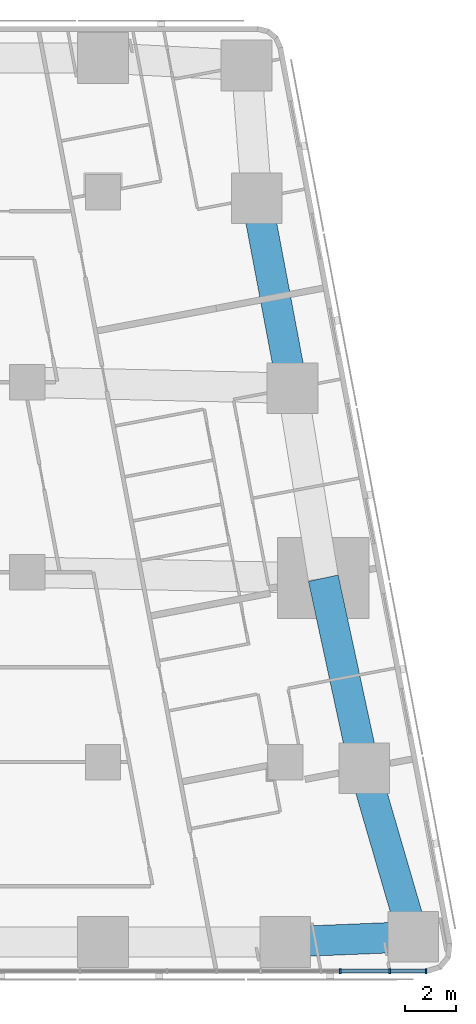
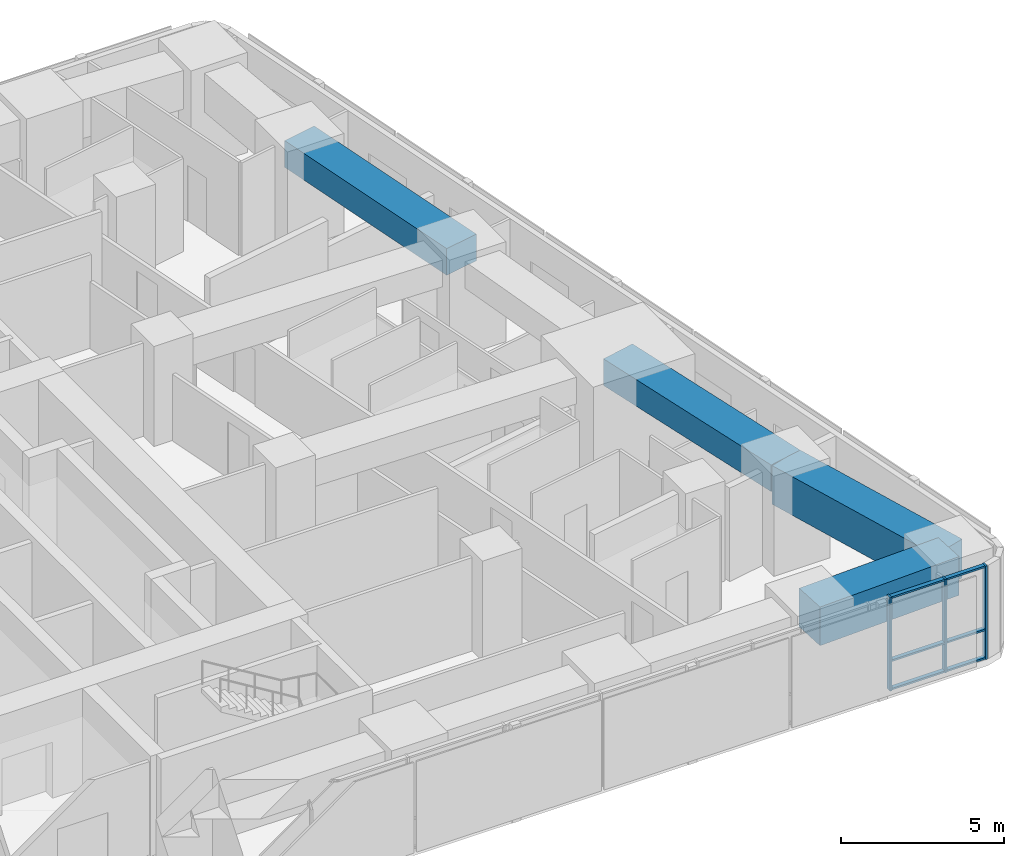
# One storey, part 3 of 11: 9 members, 4 beams, 1 element without a shape of its own.
"""IFC4 building model written with IfcOpenShell, lengths in metres."""

from ifc_helpers import new_model, si_unit, direction, frame, origin, origin_2d, place, context, subcontext, project, spatial, rectangle, extrude, material, material_profile, profile_set, type_object, element, aggregate, save


model = new_model("IFC4")

# Units and contexts
model_context = context("Model", 3, precision=1e-05, world=origin(), true_north=direction((0.0, 1.0)))
body_context = subcontext(model_context, "Body", "Model", "MODEL_VIEW")
ifc_project = project(units=[si_unit("LENGTHUNIT", "METRE"), si_unit("AREAUNIT", "SQUARE_METRE"), si_unit("VOLUMEUNIT", "CUBIC_METRE"), si_unit("PLANEANGLEUNIT", "RADIAN"), si_unit("MASSUNIT", "GRAM", prefix="KILO")], contexts=[model_context])

# Site, building, storey
site_placement = place(None, origin())
site = spatial("IfcSite", under=ifc_project, at=site_placement, CompositionType="ELEMENT")
building_placement = place(site_placement, origin())
building = spatial("IfcBuilding", under=site, at=building_placement, Name="Sheger Commons Tower", CompositionType="ELEMENT")
storey_placement = place(building_placement, frame((0.0, 0.0, 259.10009765625)))
storey = spatial("IfcBuildingStorey", under=building, at=storey_placement, Name="L66", CompositionType="ELEMENT", Elevation=259.10009765625)

# Curtain wall, members
ifc_material_1 = material(Name="Black aluminium curtain wall, dark tinted glazing", Category="aluminium")
curtain_wall_type = type_object("IfcCurtainWallType", Name="CURTAIN WALL CW5 SOUTH GALLERY", PredefinedType="USERDEFINED", material=ifc_material_1)
curtain_wall_placement = place(storey_placement, origin())
curtain_wall = element("IfcCurtainWall", 1, at=curtain_wall_placement, inside=storey, type_object=curtain_wall_type, Name="Curtain Wall Cw5 South Gallery S1 L66", ObjectType="UNITISED CURTAIN WALL", PredefinedType="USERDEFINED")
ifc_material_2 = material(Name="Black anodised aluminium", Category="aluminium")
ifc_material_profile_1 = material_profile(ifc_material_2, rectangle(XDim=0.199951171875, YDim=0.06494140625, at=origin_2d()), Name="AL 65x200")
ifc_profile_set_1 = profile_set([ifc_material_profile_1], Name="Black anodised aluminium")
member_type_1 = type_object("IfcMemberType", Name="MULLION AL 65x200", PredefinedType="MULLION", material=ifc_profile_set_1)
member_1_placement = place(storey_placement, frame((45.364990234375, 6.75, 0.0), z_axis=(0.0, 0.0, 1.0), x_axis=(0.0, 1.0, 0.0)))
member_1 = element("IfcMember", 2, at=member_1_placement, type_object=member_type_1, Name="CW5 mullion 12", PredefinedType="MULLION", context=body_context, shape_type="SweptSolid", body=[
    extrude(rectangle(XDim=0.199951171875, YDim=0.06494140625, at=origin_2d()), origin(), (0.0, 0.0, 1.0), 3.5),
])
member_2_placement = place(storey_placement, frame((47.319091796875, 6.75, 0.0), z_axis=(0.0, 0.0, 1.0), x_axis=(0.0, 1.0, 0.0)))
member_2 = element("IfcMember", 3, at=member_2_placement, type_object=member_type_1, Name="CW5 mullion 13", PredefinedType="MULLION", context=body_context, shape_type="SweptSolid", body=[
    extrude(rectangle(XDim=0.199951171875, YDim=0.06494140625, at=origin_2d()), origin(), (0.0, 0.0, 1.0), 3.5),
])
member_3_placement = place(storey_placement, frame((48.75439453125, 6.75, 0.0), z_axis=(0.0, 0.0, 1.0), x_axis=(0.0, 1.0, 0.0)))
member_3 = element("IfcMember", 4, at=member_3_placement, type_object=member_type_1, Name="CW5 mullion 14", PredefinedType="MULLION", context=body_context, shape_type="SweptSolid", body=[
    extrude(rectangle(XDim=0.199951171875, YDim=0.06494140625, at=origin_2d()), origin(), (0.0, 0.0, 1.0), 3.5),
])

# Beams
ifc_material_3 = material(Name="Concrete C50/60", Category="concrete")
ifc_material_profile_2 = material_profile(ifc_material_3, rectangle(XDim=1.199951171875, YDim=1.0, at=origin_2d()), Name="RC 1200x1000")
ifc_profile_set_2 = profile_set([ifc_material_profile_2], Name="Concrete C50/60")
beam_type_1 = type_object("IfcBeamType", Name="SPANDREL RC 1200x1000", PredefinedType="SPANDREL", material=ifc_profile_set_2)
beam_1_placement = place(storey_placement, frame((46.31396484375, 14.762939453125, 3.0), z_axis=(-0.210750229323, 0.977539943348, 0.0), x_axis=(-0.977539943348, -0.210750229323, 0.0)))
element("IfcBeam", 5, at=beam_1_placement, inside=storey, type_object=beam_type_1, Name="Beam E/C-E/D under L67", PredefinedType="SPANDREL", context=body_context, shape_type="SweptSolid", body=[
    extrude(rectangle(XDim=1.199951171875, YDim=1.0, at=origin_2d()), origin(), (0.0, 0.0, 1.0), 7.67236328125),
])
beam_2_placement = place(storey_placement, frame((43.47998046875, 29.762939453125, 3.0), z_axis=(-0.18552441405, 0.982639655108, 0.0), x_axis=(-0.982639655108, -0.18552441405, 0.0)))
element("IfcBeam", 6, at=beam_2_placement, inside=storey, type_object=beam_type_1, Name="Beam E/E-E/F under L67", PredefinedType="SPANDREL", context=body_context, shape_type="SweptSolid", body=[
    extrude(rectangle(XDim=1.199951171875, YDim=1.0, at=origin_2d()), origin(), (0.0, 0.0, 1.0), 7.632568359375),
])
ifc_material_4 = material(Name="Concrete C50/60", Category="concrete")
ifc_material_profile_3 = material_profile(ifc_material_4, rectangle(XDim=1.199951171875, YDim=1.449951171875, at=origin_2d()), Name="RC 1200x1450")
ifc_profile_set_3 = profile_set([ifc_material_profile_3], Name="Concrete C50/60")
beam_type_2 = type_object("IfcBeamType", Name="SPANDREL RC 1200x1450", PredefinedType="SPANDREL", material=ifc_profile_set_3)
beam_3_placement = place(storey_placement, frame((43.199951171875, 7.89990234375, 2.77490234375), z_axis=(0.999161374218, 0.040945674641, 0.0), x_axis=(-0.040945674641, 0.999161374218, 0.0)))
element("IfcBeam", 7, at=beam_3_placement, inside=storey, type_object=beam_type_2, Name="Beam 7/B-E/B under L67", PredefinedType="SPANDREL", context=body_context, shape_type="SweptSolid", body=[
    extrude(rectangle(XDim=1.199951171875, YDim=1.449951171875, at=origin_2d()), origin(), (0.0, 0.0, 1.0), 5.05615234375),
])
beam_4_placement = place(storey_placement, frame((48.251953125, 8.10693359375, 2.77490234375), z_axis=(-0.279555048455, 0.960129665662, 0.0), x_axis=(-0.960129665662, -0.279555048455, 0.0)))
element("IfcBeam", 8, at=beam_4_placement, inside=storey, type_object=beam_type_2, Name="Beam E/B-E/C under L67", PredefinedType="SPANDREL", context=body_context, shape_type="SweptSolid", body=[
    extrude(rectangle(XDim=1.199951171875, YDim=1.449951171875, at=origin_2d()), origin(), (0.0, 0.0, 1.0), 6.932373046875),
])

# Member
ifc_material_5 = material(Name="Black anodised aluminium", Category="aluminium")
ifc_material_profile_4 = material_profile(ifc_material_5, rectangle(XDim=0.14990234375, YDim=0.06494140625, at=origin_2d()), Name="AL 65x150")
ifc_profile_set_4 = profile_set([ifc_material_profile_4], Name="Black anodised aluminium")
member_type_2 = type_object("IfcMemberType", Name="TRANSOM AL 65x150", PredefinedType="USERDEFINED", material=ifc_profile_set_4)
member_4_placement = place(storey_placement, frame((45.3974609375, 6.75, 0.032470703125), z_axis=(1.0, 0.0, 0.0), x_axis=(0.0, 1.0, 0.0)))
member_4 = element("IfcMember", 9, at=member_4_placement, type_object=member_type_2, Name="CW5 transom 12.1", ObjectType="TRANSOM", PredefinedType="USERDEFINED", context=body_context, shape_type="SweptSolid", body=[
    extrude(rectangle(XDim=0.14990234375, YDim=0.06494140625, at=origin_2d()), origin(), (0.0, 0.0, 1.0), 1.88916015625),
])

member_5_placement = place(storey_placement, frame((45.3974609375, 6.75, 1.099853515625), z_axis=(1.0, 0.0, 0.0), x_axis=(0.0, 1.0, 0.0)))
member_5 = element("IfcMember", 10, at=member_5_placement, type_object=member_type_2, Name="CW5 transom 12.2", ObjectType="TRANSOM", PredefinedType="USERDEFINED", context=body_context, shape_type="SweptSolid", body=[
    extrude(rectangle(XDim=0.14990234375, YDim=0.06494140625, at=origin_2d()), origin(), (0.0, 0.0, 1.0), 1.88916015625),
])

member_6_placement = place(storey_placement, frame((45.3974609375, 6.75, 3.46728515625), z_axis=(1.0, 0.0, 0.0), x_axis=(0.0, 1.0, 0.0)))
member_6 = element("IfcMember", 11, at=member_6_placement, type_object=member_type_2, Name="CW5 transom 12.3", ObjectType="TRANSOM", PredefinedType="USERDEFINED", context=body_context, shape_type="SweptSolid", body=[
    extrude(rectangle(XDim=0.14990234375, YDim=0.06494140625, at=origin_2d()), origin(), (0.0, 0.0, 1.0), 1.88916015625),
])

member_7_placement = place(storey_placement, frame((47.3515625, 6.75, 0.032470703125), z_axis=(1.0, 0.0, 0.0), x_axis=(0.0, 1.0, 0.0)))
member_7 = element("IfcMember", 12, at=member_7_placement, type_object=member_type_2, Name="CW5 transom 13.1", ObjectType="TRANSOM", PredefinedType="USERDEFINED", context=body_context, shape_type="SweptSolid", body=[
    extrude(rectangle(XDim=0.14990234375, YDim=0.06494140625, at=origin_2d()), origin(), (0.0, 0.0, 1.0), 1.370361328125),
])

member_8_placement = place(storey_placement, frame((47.3515625, 6.75, 1.099853515625), z_axis=(1.0, 0.0, 0.0), x_axis=(0.0, 1.0, 0.0)))
member_8 = element("IfcMember", 13, at=member_8_placement, type_object=member_type_2, Name="CW5 transom 13.2", ObjectType="TRANSOM", PredefinedType="USERDEFINED", context=body_context, shape_type="SweptSolid", body=[
    extrude(rectangle(XDim=0.14990234375, YDim=0.06494140625, at=origin_2d()), origin(), (0.0, 0.0, 1.0), 1.370361328125),
])

member_9_placement = place(storey_placement, frame((47.3515625, 6.75, 3.46728515625), z_axis=(1.0, 0.0, 0.0), x_axis=(0.0, 1.0, 0.0)))
member_9 = element("IfcMember", 14, at=member_9_placement, type_object=member_type_2, Name="CW5 transom 13.3", ObjectType="TRANSOM", PredefinedType="USERDEFINED", context=body_context, shape_type="SweptSolid", body=[
    extrude(rectangle(XDim=0.14990234375, YDim=0.06494140625, at=origin_2d()), origin(), (0.0, 0.0, 1.0), 1.370361328125),
])

aggregate(curtain_wall, [member_1, member_2, member_3, member_4, member_5, member_6, member_7, member_8, member_9])

save(model, "model.ifc")
